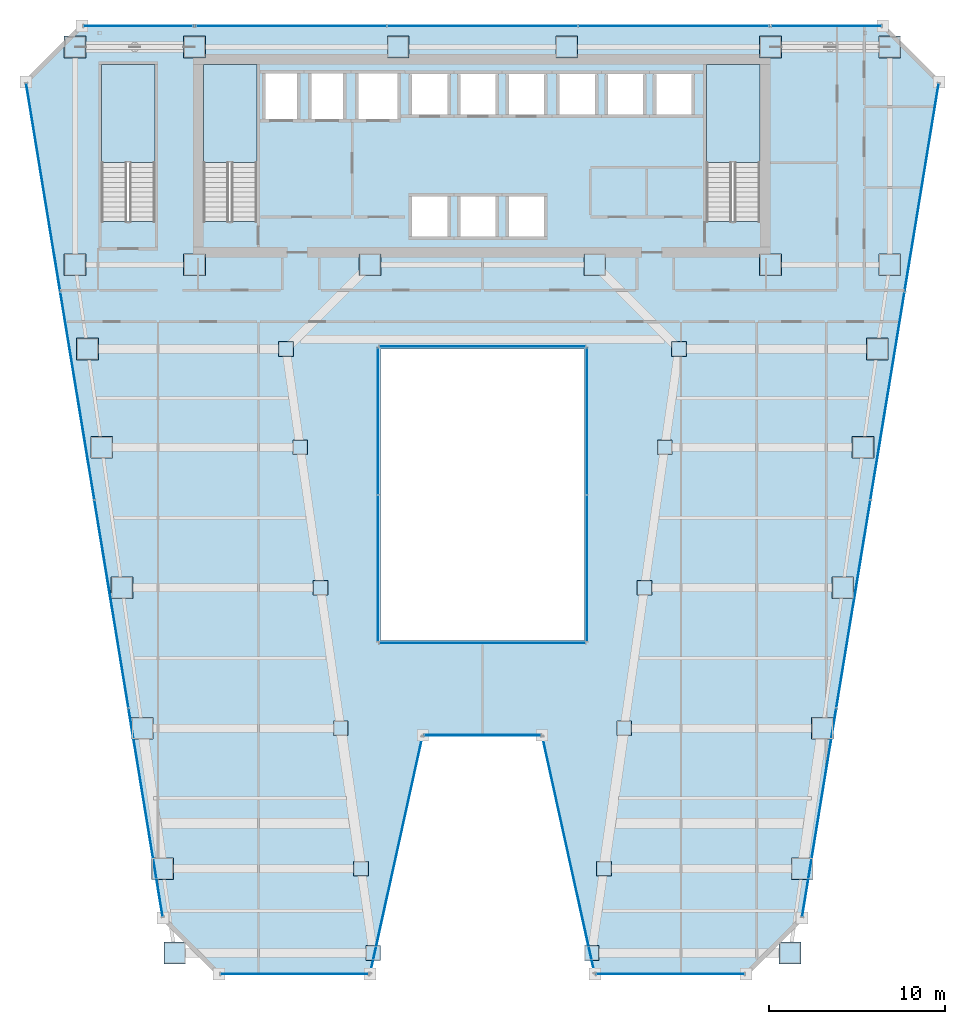
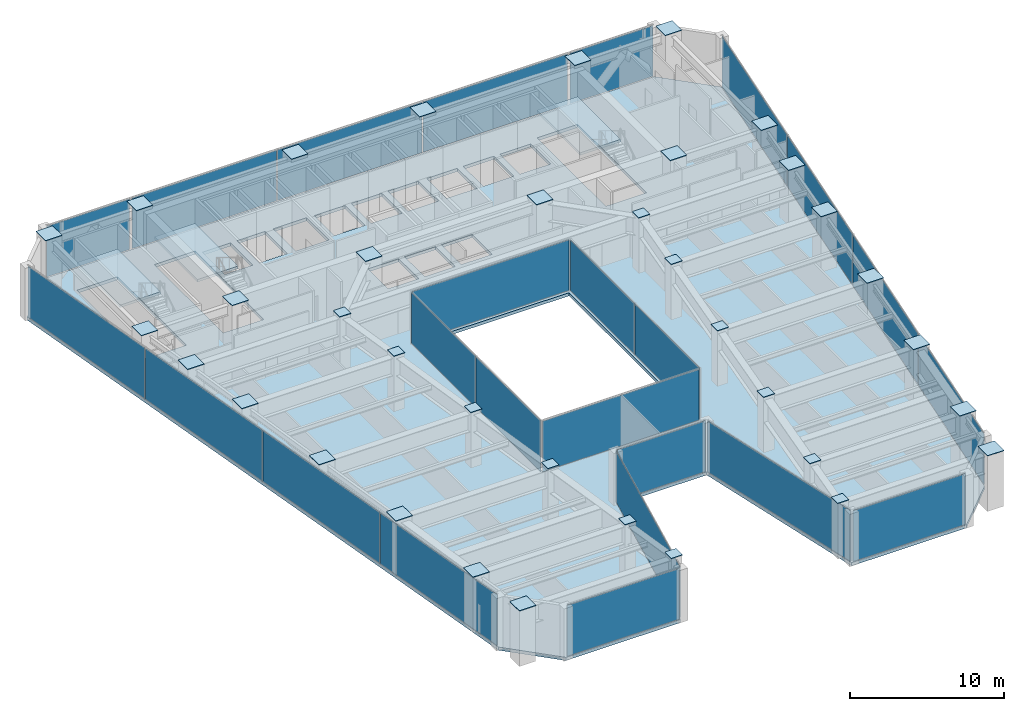
# One storey, part 33 of 40: 60 plates, 4 slabs, 17 elements without a shape of their own.
"""IFC4 building model written with IfcOpenShell, lengths in metres."""

from ifc_helpers import new_model, si_unit, direction, frame, origin, origin_2d, place, context, subcontext, project, spatial, polyline, rectangle, outline, extrude, material, layer, layer_set, type_object, element, aggregate, save


model = new_model("IFC4")

# Units and contexts
model_context = context("Model", 3, precision=1e-05, world=origin(), true_north=direction((0.0, 1.0)))
body_context = subcontext(model_context, "Body", "Model", "MODEL_VIEW")
ifc_project = project(units=[si_unit("LENGTHUNIT", "METRE"), si_unit("AREAUNIT", "SQUARE_METRE"), si_unit("VOLUMEUNIT", "CUBIC_METRE"), si_unit("PLANEANGLEUNIT", "RADIAN"), si_unit("MASSUNIT", "GRAM", prefix="KILO")], contexts=[model_context])

# Site, building, storey
site_placement = place(None, origin())
site = spatial("IfcSite", under=ifc_project, at=site_placement, CompositionType="ELEMENT")
building_placement = place(site_placement, origin())
building = spatial("IfcBuilding", under=site, at=building_placement, Name="Saevonmaru Cultural Tower", CompositionType="ELEMENT")
storey_placement = place(building_placement, frame((0.0, 0.0, 97.199951171875)))
storey = spatial("IfcBuildingStorey", under=building, at=storey_placement, Name="L20", CompositionType="ELEMENT", Elevation=97.199951171875)

# Plates
ifc_material_1 = material(Name="Steel HSA600 (600 MPa)", Category="steel")
ifc_layer_1 = layer(ifc_material_1, 0.0400390625, Name="Steel HSA600 (600 MPa)")
ifc_layer_set_1 = layer_set([ifc_layer_1], Name="Steel HSA600 (600 MPa)")
plate_type_1 = type_object("IfcPlateType", Name="PL-CAP-1200", PredefinedType="USERDEFINED", material=ifc_layer_set_1)
for number, where, z_axis, x_axis, name in (
    (1, (47.52294921875, 3.199951171875, 4.39501953125), (0.0, 0.0, 1.0), (1.0, 0.0, 0.0), "Column head cap plate TC-EO-Y032 L20"),
    (2, (48.217041015625, 8.0, 4.39501953125), (0.0, 0.0, 1.0), (1.0, 0.0, 0.0), "Column head cap plate TC-EO-Y080 L20"),
    (3, (49.3720703125, 16.0, 4.39501953125), (0.0, 0.0, 1.0), (1.0, 0.0, 0.0), "Column head cap plate TC-EO-Y160 L20"),
    (4, (50.528076171875, 24.0, 4.39501953125), (0.0, 0.0, 1.0), (1.0, 0.0, 0.0), "Column head cap plate TC-EO-Y240 L20"),
    (5, (51.68310546875, 32.0, 4.39501953125), (0.0, 0.0, 1.0), (1.0, 0.0, 0.0), "Column head cap plate TC-EO-Y320 L20"),
    (6, (52.491943359375, 37.60009765625, 4.39501953125), (0.0, 0.0, 1.0), (1.0, 0.0, 0.0), "Column head cap plate TC-EO-Y376 L20"),
    (7, (6.800048828125, 54.800048828125, 4.39501953125), (0.0, 0.0, 1.0), (1.0, 0.0, 0.0), "Column head cap plate TC-N1N L20"),
    (8, (13.60009765625, 54.800048828125, 4.39501953125), (0.0, 0.0, 1.0), (1.0, 0.0, 0.0), "Column head cap plate TC-N2N L20"),
    (9, (25.199951171875, 54.800048828125, 4.39501953125), (0.0, 0.0, 1.0), (1.0, 0.0, 0.0), "Column head cap plate TC-N3N L20"),
    (10, (34.800048828125, 54.800048828125, 4.39501953125), (0.0, 0.0, 1.0), (1.0, 0.0, 0.0), "Column head cap plate TC-N4N L20"),
    (11, (46.39990234375, 54.800048828125, 4.39501953125), (0.0, 0.0, 1.0), (1.0, 0.0, 0.0), "Column head cap plate TC-N5N L20"),
    (12, (53.199951171875, 54.800048828125, 4.39501953125), (0.0, 0.0, 1.0), (1.0, 0.0, 0.0), "Column head cap plate TC-N6N L20"),
    (13, (6.800048828125, 42.39990234375, 4.39501953125), (0.0, 0.0, 1.0), (1.0, 0.0, 0.0), "Column head cap plate TC-S1C L20"),
    (14, (13.60009765625, 42.39990234375, 4.39501953125), (0.0, 0.0, 1.0), (1.0, 0.0, 0.0), "Column head cap plate TC-S2C L20"),
    (15, (23.60009765625, 42.39990234375, 4.39501953125), (0.0, 0.0, 1.0), (1.0, 0.0, 0.0), "Column head cap plate TC-S3C L20"),
    (16, (36.39990234375, 42.39990234375, 4.39501953125), (0.0, 0.0, 1.0), (1.0, 0.0, 0.0), "Column head cap plate TC-S4C L20"),
    (17, (46.39990234375, 42.39990234375, 4.39501953125), (0.0, 0.0, 1.0), (1.0, 0.0, 0.0), "Column head cap plate TC-S5C L20"),
    (18, (53.199951171875, 42.39990234375, 4.39501953125), (0.0, 0.0, 1.0), (1.0, 0.0, 0.0), "Column head cap plate TC-S6C L20"),
    (19, (12.47705078125, 3.199951171875, 4.39501953125), (0.0, 0.0, 1.0), (1.0, 0.0, 0.0), "Column head cap plate TC-WO-Y032 L20"),
    (20, (11.782958984375, 8.0, 4.39501953125), (0.0, 0.0, 1.0), (1.0, 0.0, 0.0), "Column head cap plate TC-WO-Y080 L20"),
    (21, (10.6279296875, 16.0, 4.39501953125), (0.0, 0.0, 1.0), (1.0, 0.0, 0.0), "Column head cap plate TC-WO-Y160 L20"),
    (22, (9.471923828125, 24.0, 4.39501953125), (0.0, 0.0, 1.0), (1.0, 0.0, 0.0), "Column head cap plate TC-WO-Y240 L20"),
    (23, (8.31689453125, 32.0, 4.39501953125), (0.0, 0.0, 1.0), (1.0, 0.0, 0.0), "Column head cap plate TC-WO-Y320 L20"),
    (24, (7.508056640625, 37.60009765625, 4.39501953125), (0.0, 0.0, 1.0), (1.0, 0.0, 0.0), "Column head cap plate TC-WO-Y376 L20"),
):
    element("IfcPlate", number, at=place(storey_placement, frame(where, z_axis=z_axis, x_axis=x_axis)), inside=storey, type_object=plate_type_1, Name=name, ObjectType="CAP_PLATE", PredefinedType="USERDEFINED", context=body_context, shape_type="SweptSolid", body=[
        extrude(rectangle(XDim=1.239990234375, YDim=1.239990234375, at=origin_2d()), origin(), (0.0, 0.0, 1.0), 0.0400390625),
    ])
ifc_layer_2 = layer(ifc_material_1, 0.0400390625, Name="Steel HSA600 (600 MPa)")
ifc_layer_set_2 = layer_set([ifc_layer_2], Name="Steel HSA600 (600 MPa)")
plate_type_2 = type_object("IfcPlateType", Name="PL-CAP-800", PredefinedType="USERDEFINED", material=ifc_layer_set_2)
for number, where, z_axis, x_axis, name in (
    (25, (36.222900390625, 3.199951171875, 4.39501953125), (0.0, 0.0, 1.0), (1.0, 0.0, 0.0), "Column head cap plate TC-EI-Y032 L20"),
    (26, (36.9169921875, 8.0, 4.39501953125), (0.0, 0.0, 1.0), (1.0, 0.0, 0.0), "Column head cap plate TC-EI-Y080 L20"),
    (27, (38.072021484375, 16.0, 4.39501953125), (0.0, 0.0, 1.0), (1.0, 0.0, 0.0), "Column head cap plate TC-EI-Y160 L20"),
    (28, (39.22802734375, 24.0, 4.39501953125), (0.0, 0.0, 1.0), (1.0, 0.0, 0.0), "Column head cap plate TC-EI-Y240 L20"),
    (29, (40.383056640625, 32.0, 4.39501953125), (0.0, 0.0, 1.0), (1.0, 0.0, 0.0), "Column head cap plate TC-EI-Y320 L20"),
    (30, (41.19189453125, 37.60009765625, 4.39501953125), (0.0, 0.0, 1.0), (1.0, 0.0, 0.0), "Column head cap plate TC-EI-Y376 L20"),
    (31, (23.777099609375, 3.199951171875, 4.39501953125), (0.0, 0.0, 1.0), (1.0, 0.0, 0.0), "Column head cap plate TC-WI-Y032 L20"),
    (32, (23.0830078125, 8.0, 4.39501953125), (0.0, 0.0, 1.0), (1.0, 0.0, 0.0), "Column head cap plate TC-WI-Y080 L20"),
    (33, (21.927978515625, 16.0, 4.39501953125), (0.0, 0.0, 1.0), (1.0, 0.0, 0.0), "Column head cap plate TC-WI-Y160 L20"),
    (34, (20.77197265625, 24.0, 4.39501953125), (0.0, 0.0, 1.0), (1.0, 0.0, 0.0), "Column head cap plate TC-WI-Y240 L20"),
    (35, (19.616943359375, 32.0, 4.39501953125), (0.0, 0.0, 1.0), (1.0, 0.0, 0.0), "Column head cap plate TC-WI-Y320 L20"),
    (36, (18.80810546875, 37.60009765625, 4.39501953125), (0.0, 0.0, 1.0), (1.0, 0.0, 0.0), "Column head cap plate TC-WI-Y376 L20"),
):
    element("IfcPlate", number, at=place(storey_placement, frame(where, z_axis=z_axis, x_axis=x_axis)), inside=storey, type_object=plate_type_2, Name=name, ObjectType="CAP_PLATE", PredefinedType="USERDEFINED", context=body_context, shape_type="SweptSolid", body=[
        extrude(rectangle(XDim=0.840087890625, YDim=0.840087890625, at=origin_2d()), origin(), (0.0, 0.0, 1.0), 0.0400390625),
    ])

# Curtain wall, plate
ifc_material_2 = material(Name="Satin Bronze Anodised Aluminium", Category="aluminium")
curtain_wall_type_1 = type_object("IfcCurtainWallType", Name="CW-ATR-GLZ", PredefinedType="NOTDEFINED", material=ifc_material_2)
curtain_wall_1_placement = place(storey_placement, origin())
curtain_wall_1 = element("IfcCurtainWall", 37, at=curtain_wall_1_placement, inside=storey, type_object=curtain_wall_type_1, Name="L20 Vertical Atrium Glazed Smoke Screen 1", PredefinedType="NOTDEFINED")
ifc_material_3 = material(Name="Fire-Rated Laminated Atrium Glass", Category="glass")
ifc_layer_3 = layer(ifc_material_3, 0.031982421875, Name="Fire-Rated Laminated Atrium Glass")
ifc_layer_set_3 = layer_set([ifc_layer_3], Name="Fire-Rated Laminated Atrium Glass")
plate_type_3 = type_object("IfcPlateType", Name="PN-GLZ-ATR-INT", PredefinedType="CURTAIN_PANEL", material=ifc_layer_set_3)
plate_1_placement = place(storey_placement, frame((30.0, 20.85009765625, 0.06689453125), z_axis=(0.0, 0.0, 1.0), x_axis=(1.0, 0.0, 0.0)))
plate_1 = element("IfcPlate", 38, at=plate_1_placement, type_object=plate_type_3, Name="CW-ATR-L20-1 panel 1.1", PredefinedType="CURTAIN_PANEL", context=body_context, shape_type="SweptSolid", body=[
    extrude(rectangle(XDim=11.7109375, YDim=0.031982421875, at=origin_2d()), origin(), (0.0, 0.0, 1.0), 4.01611328125),
])
aggregate(curtain_wall_1, [plate_1])

# Curtain wall, plates
curtain_wall_2_placement = place(storey_placement, origin())
curtain_wall_2 = element("IfcCurtainWall", 39, at=curtain_wall_2_placement, inside=storey, type_object=curtain_wall_type_1, Name="L20 Vertical Atrium Glazed Smoke Screen 2", PredefinedType="NOTDEFINED")
plate_2_placement = place(storey_placement, frame((35.949951171875, 25.10498046875, 0.06689453125), z_axis=(0.0, 0.0, 1.0), x_axis=(0.0, 1.0, 0.0)))
plate_2 = element("IfcPlate", 40, at=plate_2_placement, type_object=plate_type_3, Name="CW-ATR-L20-2 panel 1.1", PredefinedType="CURTAIN_PANEL", context=body_context, shape_type="SweptSolid", body=[
    extrude(rectangle(XDim=8.321044921875, YDim=0.031982421875, at=origin_2d()), origin(), (0.0, 0.0, 1.0), 4.01611328125),
])
plate_3_placement = place(storey_placement, frame((35.949951171875, 33.4951171875, 0.06689453125), z_axis=(0.0, 0.0, 1.0), x_axis=(0.0, 1.0, 0.0)))
plate_3 = element("IfcPlate", 41, at=plate_3_placement, type_object=plate_type_3, Name="CW-ATR-L20-2 panel 2.1", PredefinedType="CURTAIN_PANEL", context=body_context, shape_type="SweptSolid", body=[
    extrude(rectangle(XDim=8.321044921875, YDim=0.031982421875, at=origin_2d()), origin(), (0.0, 0.0, 1.0), 4.01611328125),
])
aggregate(curtain_wall_2, [plate_2, plate_3])

# Curtain wall, plate
curtain_wall_3_placement = place(storey_placement, origin())
curtain_wall_3 = element("IfcCurtainWall", 42, at=curtain_wall_3_placement, inside=storey, type_object=curtain_wall_type_1, Name="L20 Vertical Atrium Glazed Smoke Screen 3", PredefinedType="NOTDEFINED")
plate_4_placement = place(storey_placement, frame((30.0, 37.75, 0.06689453125), z_axis=(0.0, 0.0, 1.0), x_axis=(-1.0, 0.0, 0.0)))
plate_4 = element("IfcPlate", 43, at=plate_4_placement, type_object=plate_type_3, Name="CW-ATR-L20-3 panel 1.1", PredefinedType="CURTAIN_PANEL", context=body_context, shape_type="SweptSolid", body=[
    extrude(rectangle(XDim=11.7109375, YDim=0.031982421875, at=origin_2d()), origin(), (0.0, 0.0, 1.0), 4.01611328125),
])
aggregate(curtain_wall_3, [plate_4])

# Curtain wall, plates
curtain_wall_4_placement = place(storey_placement, origin())
curtain_wall_4 = element("IfcCurtainWall", 44, at=curtain_wall_4_placement, inside=storey, type_object=curtain_wall_type_1, Name="L20 Vertical Atrium Glazed Smoke Screen 4", PredefinedType="NOTDEFINED")
plate_5_placement = place(storey_placement, frame((24.050048828125, 33.4951171875, 0.06689453125), z_axis=(0.0, 0.0, 1.0), x_axis=(0.0, -1.0, 0.0)))
plate_5 = element("IfcPlate", 45, at=plate_5_placement, type_object=plate_type_3, Name="CW-ATR-L20-4 panel 1.1", PredefinedType="CURTAIN_PANEL", context=body_context, shape_type="SweptSolid", body=[
    extrude(rectangle(XDim=8.321044921875, YDim=0.031982421875, at=origin_2d()), origin(), (0.0, 0.0, 1.0), 4.01611328125),
])
plate_6_placement = place(storey_placement, frame((24.050048828125, 25.10498046875, 0.06689453125), z_axis=(0.0, 0.0, 1.0), x_axis=(0.0, -1.0, 0.0)))
plate_6 = element("IfcPlate", 46, at=plate_6_placement, type_object=plate_type_3, Name="CW-ATR-L20-4 panel 2.1", PredefinedType="CURTAIN_PANEL", context=body_context, shape_type="SweptSolid", body=[
    extrude(rectangle(XDim=8.321044921875, YDim=0.031982421875, at=origin_2d()), origin(), (0.0, 0.0, 1.0), 4.01611328125),
])
aggregate(curtain_wall_4, [plate_5, plate_6])

# Curtain wall, plate
curtain_wall_type_2 = type_object("IfcCurtainWallType", Name="CW-TYP-A", PredefinedType="NOTDEFINED", material=ifc_material_2)
curtain_wall_5_placement = place(storey_placement, origin())
curtain_wall_5 = element("IfcCurtainWall", 47, at=curtain_wall_5_placement, inside=storey, type_object=curtain_wall_type_2, Name="L20 Unitised Curtain Wall E2", PredefinedType="NOTDEFINED")
ifc_material_4 = material(Name="Triple Silver Low-E Insulating Glass", Category="glass")
ifc_layer_4 = layer(ifc_material_4, 0.035888671875, Name="Triple Silver Low-E Insulating Glass")
ifc_layer_set_4 = layer_set([ifc_layer_4], Name="Triple Silver Low-E Insulating Glass")
plate_type_4 = type_object("IfcPlateType", Name="PN-GLZ-IGU", PredefinedType="CURTAIN_PANEL", material=ifc_layer_set_4)
plate_7_placement = place(storey_placement, frame((19.300048828125, 2.0, 0.06689453125), z_axis=(0.0, 0.0, 1.0), x_axis=(1.0, 0.0, 0.0)))
plate_7 = element("IfcPlate", 48, at=plate_7_placement, type_object=plate_type_4, Name="CW-TW-L20-E2 panel 1.1", PredefinedType="CURTAIN_PANEL", context=body_context, shape_type="SweptSolid", body=[
    extrude(rectangle(XDim=8.410888671875, YDim=0.035888671875, at=origin_2d()), origin(), (0.0, 0.0, 1.0), 4.01611328125),
])
aggregate(curtain_wall_5, [plate_7])

curtain_wall_6_placement = place(storey_placement, origin())
curtain_wall_6 = element("IfcCurtainWall", 49, at=curtain_wall_6_placement, inside=storey, type_object=curtain_wall_type_2, Name="L20 Unitised Curtain Wall E3", PredefinedType="NOTDEFINED")
plate_8_placement = place(storey_placement, frame((25.10009765625, 8.800048828125, 0.06689453125), z_axis=(0.0, 0.0, 1.0), x_axis=(0.215413319953, 0.976522965212, 0.0)))
plate_8 = element("IfcPlate", 50, at=plate_8_placement, type_object=plate_type_4, Name="CW-TW-L20-E3 panel 1.1", PredefinedType="CURTAIN_PANEL", context=body_context, shape_type="SweptSolid", body=[
    extrude(rectangle(XDim=13.738037109375, YDim=0.035888671875, at=origin_2d()), origin(), (0.0, 0.0, 1.0), 4.01611328125),
])
aggregate(curtain_wall_6, [plate_8])

curtain_wall_7_placement = place(storey_placement, origin())
curtain_wall_7 = element("IfcCurtainWall", 51, at=curtain_wall_7_placement, inside=storey, type_object=curtain_wall_type_2, Name="L20 Unitised Curtain Wall E4", PredefinedType="NOTDEFINED")
plate_9_placement = place(storey_placement, frame((30.0, 15.60009765625, 0.06689453125), z_axis=(0.0, 0.0, 1.0), x_axis=(1.0, 0.0, 0.0)))
plate_9 = element("IfcPlate", 52, at=plate_9_placement, type_object=plate_type_4, Name="CW-TW-L20-E4 panel 1.1", PredefinedType="CURTAIN_PANEL", context=body_context, shape_type="SweptSolid", body=[
    extrude(rectangle(XDim=6.611083984375, YDim=0.035888671875, at=origin_2d()), origin(), (0.0, 0.0, 1.0), 4.01611328125),
])
aggregate(curtain_wall_7, [plate_9])

curtain_wall_8_placement = place(storey_placement, origin())
curtain_wall_8 = element("IfcCurtainWall", 53, at=curtain_wall_8_placement, inside=storey, type_object=curtain_wall_type_2, Name="L20 Unitised Curtain Wall E5", PredefinedType="NOTDEFINED")
plate_10_placement = place(storey_placement, frame((34.89990234375, 8.800048828125, 0.06689453125), z_axis=(0.0, 0.0, 1.0), x_axis=(0.215413319953, -0.976522965212, 0.0)))
plate_10 = element("IfcPlate", 54, at=plate_10_placement, type_object=plate_type_4, Name="CW-TW-L20-E5 panel 1.1", PredefinedType="CURTAIN_PANEL", context=body_context, shape_type="SweptSolid", body=[
    extrude(rectangle(XDim=13.738037109375, YDim=0.035888671875, at=origin_2d()), origin(), (0.0, 0.0, 1.0), 4.01611328125),
])
aggregate(curtain_wall_8, [plate_10])

curtain_wall_9_placement = place(storey_placement, origin())
curtain_wall_9 = element("IfcCurtainWall", 55, at=curtain_wall_9_placement, inside=storey, type_object=curtain_wall_type_2, Name="L20 Unitised Curtain Wall E6", PredefinedType="NOTDEFINED")
plate_11_placement = place(storey_placement, frame((40.699951171875, 2.0, 0.06689453125), z_axis=(0.0, 0.0, 1.0), x_axis=(1.0, 0.0, 0.0)))
plate_11 = element("IfcPlate", 56, at=plate_11_placement, type_object=plate_type_4, Name="CW-TW-L20-E6 panel 1.1", PredefinedType="CURTAIN_PANEL", context=body_context, shape_type="SweptSolid", body=[
    extrude(rectangle(XDim=8.410888671875, YDim=0.035888671875, at=origin_2d()), origin(), (0.0, 0.0, 1.0), 4.01611328125),
])
aggregate(curtain_wall_9, [plate_11])

# Curtain wall, plates
curtain_wall_10_placement = place(storey_placement, origin())
curtain_wall_10 = element("IfcCurtainWall", 57, at=curtain_wall_10_placement, inside=storey, type_object=curtain_wall_type_2, Name="L20 Unitised Curtain Wall E8", PredefinedType="NOTDEFINED")
plate_12_placement = place(storey_placement, frame((49.182373046875, 11.1943359375, 0.06689453125), z_axis=(0.0, 0.0, 1.0), x_axis=(0.161708868641, 0.986838508472, 0.0)))
plate_12 = element("IfcPlate", 58, at=plate_12_placement, type_object=plate_type_4, Name="CW-TW-L20-E8 panel 1.1", PredefinedType="CURTAIN_PANEL", context=body_context, shape_type="SweptSolid", body=[
    extrude(rectangle(XDim=11.959716796875, YDim=0.035888671875, at=origin_2d()), origin(), (0.0, 0.0, 1.0), 4.01611328125),
])
plate_13_placement = place(storey_placement, frame((51.12744140625, 23.064697265625, 0.06689453125), z_axis=(0.0, 0.0, 1.0), x_axis=(0.161708868641, 0.986838508472, 0.0)))
plate_13 = element("IfcPlate", 59, at=plate_13_placement, type_object=plate_type_4, Name="CW-TW-L20-E8 panel 2.1", PredefinedType="CURTAIN_PANEL", context=body_context, shape_type="SweptSolid", body=[
    extrude(rectangle(XDim=11.959716796875, YDim=0.035888671875, at=origin_2d()), origin(), (0.0, 0.0, 1.0), 4.01611328125),
])
plate_14_placement = place(storey_placement, frame((53.072509765625, 34.935302734375, 0.06689453125), z_axis=(0.0, 0.0, 1.0), x_axis=(0.161708868641, 0.986838508472, 0.0)))
plate_14 = element("IfcPlate", 60, at=plate_14_placement, type_object=plate_type_4, Name="CW-TW-L20-E8 panel 3.1", PredefinedType="CURTAIN_PANEL", context=body_context, shape_type="SweptSolid", body=[
    extrude(rectangle(XDim=11.959716796875, YDim=0.035888671875, at=origin_2d()), origin(), (0.0, 0.0, 1.0), 4.01611328125),
])
plate_15_placement = place(storey_placement, frame((55.017822265625, 46.8056640625, 0.06689453125), z_axis=(0.0, 0.0, 1.0), x_axis=(0.161708868641, 0.986838508472, 0.0)))
plate_15 = element("IfcPlate", 61, at=plate_15_placement, type_object=plate_type_4, Name="CW-TW-L20-E8 panel 4.1", PredefinedType="CURTAIN_PANEL", context=body_context, shape_type="SweptSolid", body=[
    extrude(rectangle(XDim=11.959716796875, YDim=0.035888671875, at=origin_2d()), origin(), (0.0, 0.0, 1.0), 4.01611328125),
])
aggregate(curtain_wall_10, [plate_12, plate_13, plate_14, plate_15])

curtain_wall_11_placement = place(storey_placement, origin())
curtain_wall_11 = element("IfcCurtainWall", 62, at=curtain_wall_11_placement, inside=storey, type_object=curtain_wall_type_2, Name="L20 North Spine Unitised Curtain Wall E10B", PredefinedType="NOTDEFINED")
plate_16_placement = place(storey_placement, frame((40.893310546875, 56.0, 0.06689453125), z_axis=(0.0, 0.0, 1.0), x_axis=(-1.0, 0.0, 0.0)))
plate_16 = element("IfcPlate", 63, at=plate_16_placement, type_object=plate_type_4, Name="CW-TW-L20-E10B panel 1.1", PredefinedType="CURTAIN_PANEL", context=body_context, shape_type="SweptSolid", body=[
    extrude(rectangle(XDim=10.82421875, YDim=0.035888671875, at=origin_2d()), origin(), (0.0, 0.0, 1.0), 4.01611328125),
])
plate_17_placement = place(storey_placement, frame((30.0, 56.0, 0.06689453125), z_axis=(0.0, 0.0, 1.0), x_axis=(-1.0, 0.0, 0.0)))
plate_17 = element("IfcPlate", 64, at=plate_17_placement, type_object=plate_type_4, Name="CW-TW-L20-E10B panel 2.1", PredefinedType="CURTAIN_PANEL", context=body_context, shape_type="SweptSolid", body=[
    extrude(rectangle(XDim=10.82421875, YDim=0.035888671875, at=origin_2d()), origin(), (0.0, 0.0, 1.0), 4.01611328125),
])
plate_18_placement = place(storey_placement, frame((19.106689453125, 56.0, 0.06689453125), z_axis=(0.0, 0.0, 1.0), x_axis=(-1.0, 0.0, 0.0)))
plate_18 = element("IfcPlate", 65, at=plate_18_placement, type_object=plate_type_4, Name="CW-TW-L20-E10B panel 3.1", PredefinedType="CURTAIN_PANEL", context=body_context, shape_type="SweptSolid", body=[
    extrude(rectangle(XDim=10.82421875, YDim=0.035888671875, at=origin_2d()), origin(), (0.0, 0.0, 1.0), 4.01611328125),
])
aggregate(curtain_wall_11, [plate_16, plate_17, plate_18])

curtain_wall_12_placement = place(storey_placement, origin())
curtain_wall_12 = element("IfcCurtainWall", 66, at=curtain_wall_12_placement, inside=storey, type_object=curtain_wall_type_2, Name="L20 Unitised Curtain Wall E12", PredefinedType="NOTDEFINED")
plate_19_placement = place(storey_placement, frame((4.982177734375, 46.8056640625, 0.06689453125), z_axis=(0.0, 0.0, 1.0), x_axis=(0.161708868641, -0.986838508472, 0.0)))
plate_19 = element("IfcPlate", 67, at=plate_19_placement, type_object=plate_type_4, Name="CW-TW-L20-E12 panel 1.1", PredefinedType="CURTAIN_PANEL", context=body_context, shape_type="SweptSolid", body=[
    extrude(rectangle(XDim=11.959716796875, YDim=0.035888671875, at=origin_2d()), origin(), (0.0, 0.0, 1.0), 4.01611328125),
])
plate_20_placement = place(storey_placement, frame((6.927490234375, 34.935302734375, 0.06689453125), z_axis=(0.0, 0.0, 1.0), x_axis=(0.161708868641, -0.986838508472, 0.0)))
plate_20 = element("IfcPlate", 68, at=plate_20_placement, type_object=plate_type_4, Name="CW-TW-L20-E12 panel 2.1", PredefinedType="CURTAIN_PANEL", context=body_context, shape_type="SweptSolid", body=[
    extrude(rectangle(XDim=11.959716796875, YDim=0.035888671875, at=origin_2d()), origin(), (0.0, 0.0, 1.0), 4.01611328125),
])
plate_21_placement = place(storey_placement, frame((8.87255859375, 23.064697265625, 0.06689453125), z_axis=(0.0, 0.0, 1.0), x_axis=(0.161708868641, -0.986838508472, 0.0)))
plate_21 = element("IfcPlate", 69, at=plate_21_placement, type_object=plate_type_4, Name="CW-TW-L20-E12 panel 3.1", PredefinedType="CURTAIN_PANEL", context=body_context, shape_type="SweptSolid", body=[
    extrude(rectangle(XDim=11.959716796875, YDim=0.035888671875, at=origin_2d()), origin(), (0.0, 0.0, 1.0), 4.01611328125),
])
plate_22_placement = place(storey_placement, frame((10.817626953125, 11.1943359375, 0.06689453125), z_axis=(0.0, 0.0, 1.0), x_axis=(0.161708868641, -0.986838508472, 0.0)))
plate_22 = element("IfcPlate", 70, at=plate_22_placement, type_object=plate_type_4, Name="CW-TW-L20-E12 panel 4.1", PredefinedType="CURTAIN_PANEL", context=body_context, shape_type="SweptSolid", body=[
    extrude(rectangle(XDim=11.959716796875, YDim=0.035888671875, at=origin_2d()), origin(), (0.0, 0.0, 1.0), 4.01611328125),
])
aggregate(curtain_wall_12, [plate_19, plate_20, plate_21, plate_22])

# Curtain wall, plate
curtain_wall_13_placement = place(storey_placement, origin())
curtain_wall_13 = element("IfcCurtainWall", 71, at=curtain_wall_13_placement, inside=storey, type_object=curtain_wall_type_2, Name="L20 East Braced Bay Spandrel Curtain Wall E10A", PredefinedType="NOTDEFINED")
ifc_material_5 = material(Name="Insulated Satin Bronze Aluminium Spandrel Panel", Category="aluminium")
ifc_layer_5 = layer(ifc_material_5, 0.0400390625, Name="Insulated Satin Bronze Aluminium Spandrel Panel")
ifc_layer_set_5 = layer_set([ifc_layer_5], Name="Insulated Satin Bronze Aluminium Spandrel Panel")
plate_type_5 = type_object("IfcPlateType", Name="PN-SPANDREL-BRONZE", PredefinedType="CURTAIN_PANEL", material=ifc_layer_set_5)
plate_23_placement = place(storey_placement, frame((49.60009765625, 56.0, 0.06689453125), z_axis=(0.0, 0.0, 1.0), x_axis=(-1.0, 0.0, 0.0)))
plate_23 = element("IfcPlate", 72, at=plate_23_placement, type_object=plate_type_5, Name="CW-TW-L20-E10A panel 1.1", PredefinedType="CURTAIN_PANEL", context=body_context, shape_type="SweptSolid", body=[
    extrude(rectangle(XDim=6.2109375, YDim=0.035888671875, at=origin_2d()), origin(), (0.0, 0.0, 1.0), 4.01611328125),
])
aggregate(curtain_wall_13, [plate_23])

curtain_wall_14_placement = place(storey_placement, origin())
curtain_wall_14 = element("IfcCurtainWall", 73, at=curtain_wall_14_placement, inside=storey, type_object=curtain_wall_type_2, Name="L20 West Braced Bay Spandrel Curtain Wall E10C", PredefinedType="NOTDEFINED")
plate_24_placement = place(storey_placement, frame((10.39990234375, 56.0, 0.06689453125), z_axis=(0.0, 0.0, 1.0), x_axis=(-1.0, 0.0, 0.0)))
plate_24 = element("IfcPlate", 74, at=plate_24_placement, type_object=plate_type_5, Name="CW-TW-L20-E10C panel 1.1", PredefinedType="CURTAIN_PANEL", context=body_context, shape_type="SweptSolid", body=[
    extrude(rectangle(XDim=6.2109375, YDim=0.035888671875, at=origin_2d()), origin(), (0.0, 0.0, 1.0), 4.01611328125),
])
aggregate(curtain_wall_14, [plate_24])

# Slab
ifc_material_6 = material(Name="Concrete C40/50", Category="concrete")
ifc_layer_6 = layer(ifc_material_6, 0.25, Name="Concrete C40/50")
ifc_layer_set_6 = layer_set([ifc_layer_6], Name="Concrete C40/50")
slab_type_1 = type_object("IfcSlabType", Name="SL-FLR-250", PredefinedType="FLOOR", material=ifc_layer_set_6)
slab_1_placement = place(storey_placement, frame((0.0, 0.0, -0.25)))
element("IfcSlab", 75, at=slab_1_placement, inside=storey, type_object=slab_type_1, Name="L20 Tower Structural Floor Slab", PredefinedType="FLOOR", context=body_context, shape_type="SweptSolid", body=[
    extrude(outline(polyline([(11.800048828125, 5.199951171875), (15.0, 2.0), (23.60009765625, 2.0), (26.60009765625, 15.60009765625), (33.39990234375, 15.60009765625), (36.39990234375, 2.0), (45.0, 2.0), (48.199951171875, 5.199951171875), (56.0, 52.800048828125), (52.800048828125, 56.0), (7.199951171875, 56.0), (4.0, 52.800048828125), (11.800048828125, 5.199951171875)]), holes=[polyline([(45.800048828125, 44.875), (42.75, 44.875), (42.75, 53.800048828125), (45.800048828125, 53.800048828125), (45.800048828125, 44.875)]), polyline([(39.75, 50.800048828125), (39.75, 53.39990234375), (42.050048828125, 53.39990234375), (42.050048828125, 50.800048828125), (39.75, 50.800048828125)]), polyline([(37.0, 50.800048828125), (37.0, 53.39990234375), (39.300048828125, 53.39990234375), (39.300048828125, 50.800048828125), (37.0, 50.800048828125)]), polyline([(34.25, 50.800048828125), (34.25, 53.39990234375), (36.550048828125, 53.39990234375), (36.550048828125, 50.800048828125), (34.25, 50.800048828125)]), polyline([(24.199951171875, 21.0), (24.199951171875, 37.60009765625), (35.800048828125, 37.60009765625), (35.800048828125, 21.0), (24.199951171875, 21.0)]), polyline([(31.35009765625, 50.800048828125), (31.35009765625, 53.39990234375), (33.64990234375, 53.39990234375), (33.64990234375, 50.800048828125), (31.35009765625, 50.800048828125)]), polyline([(31.35009765625, 43.85009765625), (31.35009765625, 46.449951171875), (33.64990234375, 46.449951171875), (33.64990234375, 43.85009765625), (31.35009765625, 43.85009765625)]), polyline([(28.60009765625, 43.85009765625), (28.60009765625, 46.449951171875), (30.89990234375, 46.449951171875), (30.89990234375, 43.85009765625), (28.60009765625, 43.85009765625)]), polyline([(28.60009765625, 50.800048828125), (28.60009765625, 53.39990234375), (30.89990234375, 53.39990234375), (30.89990234375, 50.800048828125), (28.60009765625, 50.800048828125)]), polyline([(25.85009765625, 50.800048828125), (25.85009765625, 53.39990234375), (28.14990234375, 53.39990234375), (28.14990234375, 50.800048828125), (25.85009765625, 50.800048828125)]), polyline([(25.85009765625, 43.85009765625), (25.85009765625, 46.449951171875), (28.14990234375, 46.449951171875), (28.14990234375, 43.85009765625), (25.85009765625, 43.85009765625)]), polyline([(22.800048828125, 50.550048828125), (22.800048828125, 53.449951171875), (25.300048828125, 53.449951171875), (25.300048828125, 50.550048828125), (22.800048828125, 50.550048828125)]), polyline([(20.10009765625, 50.550048828125), (20.10009765625, 53.449951171875), (22.199951171875, 53.449951171875), (22.199951171875, 50.550048828125), (20.10009765625, 50.550048828125)]), polyline([(17.5, 50.550048828125), (17.5, 53.449951171875), (19.60009765625, 53.449951171875), (19.60009765625, 50.550048828125), (17.5, 50.550048828125)]), polyline([(17.14990234375, 44.875), (14.10009765625, 44.875), (14.10009765625, 53.800048828125), (17.14990234375, 53.800048828125), (17.14990234375, 44.875)]), polyline([(11.35009765625, 44.875), (8.300048828125, 44.875), (8.300048828125, 53.800048828125), (11.35009765625, 53.800048828125), (11.35009765625, 44.875)])]), origin(), (0.0, 0.0, 1.0), 0.25),
])

# Stair, slab
stair_type = type_object("IfcStairType", Name="STR-DOGLEG-RC", PredefinedType="HALF_TURN_STAIR", material=ifc_material_6)
stair_1_placement = place(storey_placement, origin())
stair_1 = element("IfcStair", 76, at=stair_1_placement, inside=storey, type_object=stair_type, Name="L20 Protected exit stair ST-1", PredefinedType="HALF_TURN_STAIR")
ifc_layer_7 = layer(ifc_material_6, 0.199951171875, Name="Concrete C40/50")
ifc_layer_set_7 = layer_set([ifc_layer_7], Name="Concrete C40/50")
slab_type_2 = type_object("IfcSlabType", Name="SL-STAIR-LANDING", PredefinedType="LANDING", material=ifc_layer_set_7)
slab_2_placement = place(storey_placement, frame((0.0, 0.0, 2.0)))
slab_2 = element("IfcSlab", 77, at=slab_2_placement, type_object=slab_type_2, Name="ST-1-L20 landing 1", PredefinedType="LANDING", context=body_context, shape_type="SweptSolid", body=[
    extrude(outline(polyline([(17.14990234375, 48.2099609375), (17.14990234375, 53.800048828125), (14.10009765625, 53.800048828125), (14.10009765625, 48.2099609375), (17.14990234375, 48.2099609375)])), origin(), (0.0, 0.0, 1.0), 0.199951171875),
])
aggregate(stair_1, [slab_2])

stair_2_placement = place(storey_placement, origin())
stair_2 = element("IfcStair", 78, at=stair_2_placement, inside=storey, type_object=stair_type, Name="L20 Protected exit stair ST-2", PredefinedType="HALF_TURN_STAIR")
slab_3_placement = place(storey_placement, frame((0.0, 0.0, 2.0)))
slab_3 = element("IfcSlab", 79, at=slab_3_placement, type_object=slab_type_2, Name="ST-2-L20 landing 1", PredefinedType="LANDING", context=body_context, shape_type="SweptSolid", body=[
    extrude(outline(polyline([(45.800048828125, 48.2099609375), (45.800048828125, 53.800048828125), (42.75, 53.800048828125), (42.75, 48.2099609375), (45.800048828125, 48.2099609375)])), origin(), (0.0, 0.0, 1.0), 0.199951171875),
])
aggregate(stair_2, [slab_3])

stair_3_placement = place(storey_placement, origin())
stair_3 = element("IfcStair", 80, at=stair_3_placement, inside=storey, type_object=stair_type, Name="L20 Protected exit stair ST-3", PredefinedType="HALF_TURN_STAIR")
slab_4_placement = place(storey_placement, frame((0.0, 0.0, 2.0)))
slab_4 = element("IfcSlab", 81, at=slab_4_placement, type_object=slab_type_2, Name="ST-3-L20 landing 1", PredefinedType="LANDING", context=body_context, shape_type="SweptSolid", body=[
    extrude(outline(polyline([(11.35009765625, 48.2099609375), (11.35009765625, 53.800048828125), (8.300048828125, 53.800048828125), (8.300048828125, 48.2099609375), (11.35009765625, 48.2099609375)])), origin(), (0.0, 0.0, 1.0), 0.199951171875),
])
aggregate(stair_3, [slab_4])

save(model, "model.ifc")
